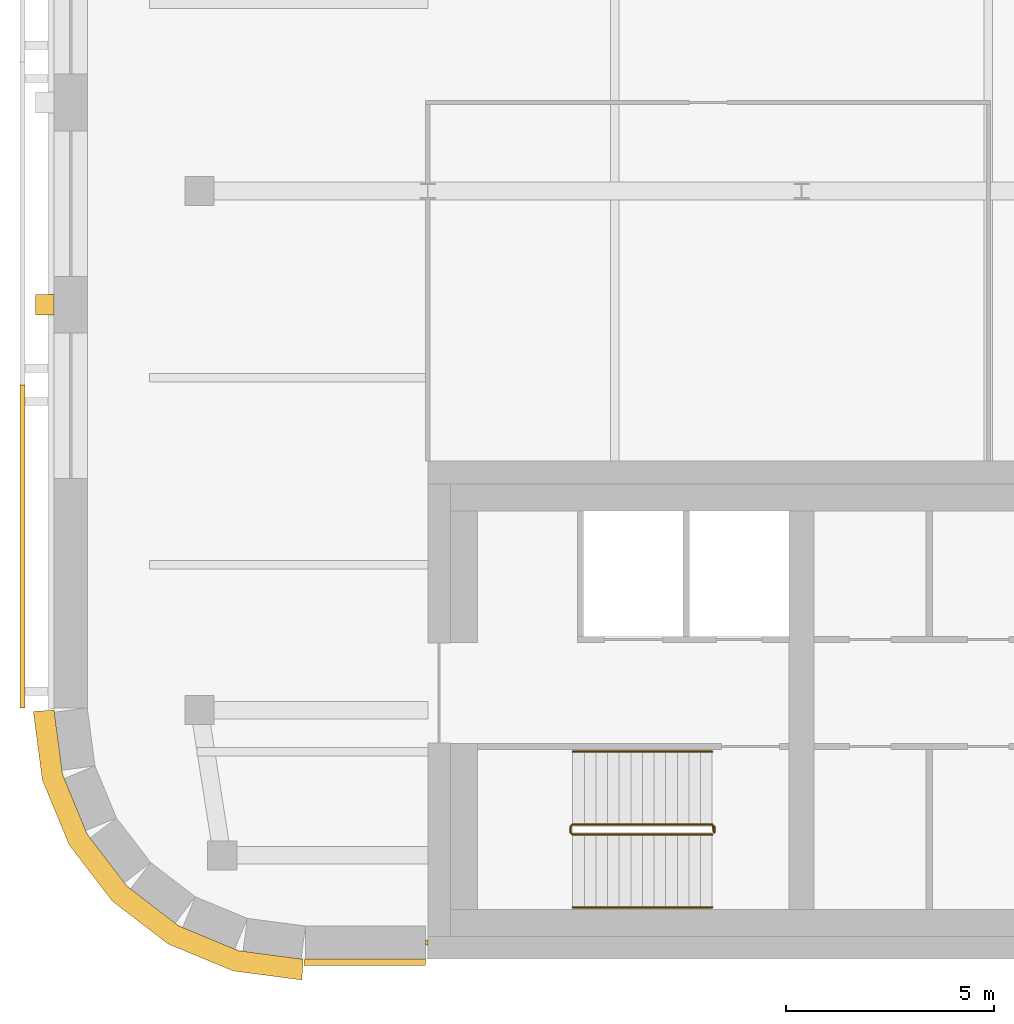
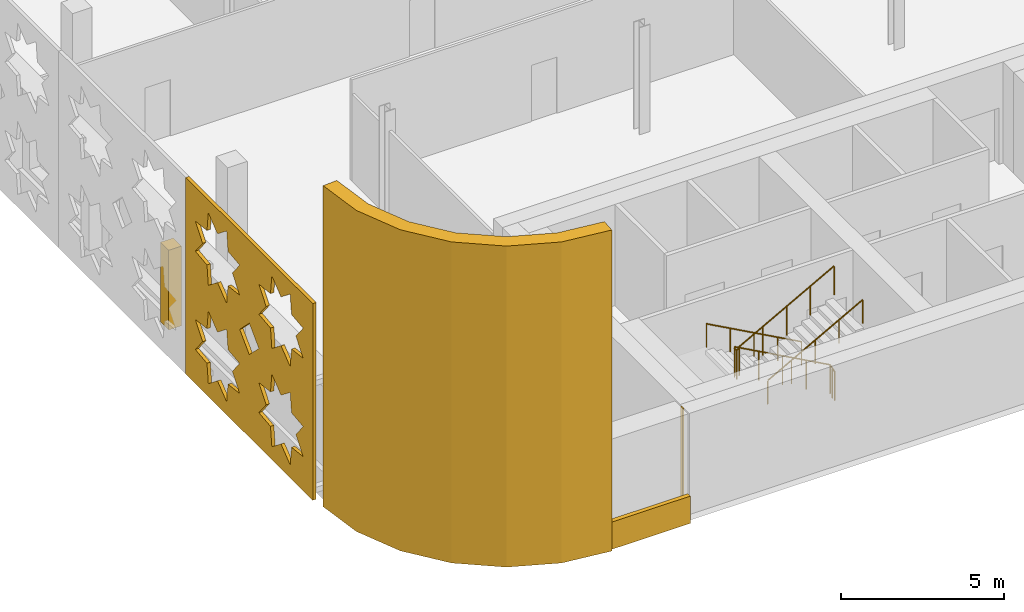
# One storey, part 12 of 16: 5 coverings, 3 railings.
"""IFC4 building model written with IfcOpenShell, lengths in metres."""

from ifc_helpers import new_model, si_unit, direction, frame, origin, origin_2d, place, context, subcontext, project, spatial, polyline, rectangle, circle, outline, extrude, material, layer, layer_set, type_object, element, save


model = new_model("IFC4")

# Units and contexts
model_context = context("Model", 3, precision=1e-05, world=origin(), true_north=direction((0.0, 1.0)))
body_context = subcontext(model_context, "Body", "Model", "MODEL_VIEW")
ifc_project = project(units=[si_unit("LENGTHUNIT", "METRE"), si_unit("AREAUNIT", "SQUARE_METRE"), si_unit("VOLUMEUNIT", "CUBIC_METRE"), si_unit("PLANEANGLEUNIT", "RADIAN"), si_unit("MASSUNIT", "GRAM", prefix="KILO")], contexts=[model_context])

# Site, building, storey
site_placement = place(None, origin())
site = spatial("IfcSite", under=ifc_project, at=site_placement, CompositionType="ELEMENT")
building_placement = place(site_placement, origin())
building = spatial("IfcBuilding", under=site, at=building_placement, Name="Zellij Exchange Tower", CompositionType="ELEMENT")
storey_placement = place(building_placement, frame((0.0, 0.0, 272.5)))
storey = spatial("IfcBuildingStorey", under=building, at=storey_placement, Name="L64", CompositionType="ELEMENT", Elevation=272.5)

# Railings
ifc_material_1 = material(Name="Stainless steel", Category="steel")
railing_type_1 = type_object("IfcRailingType", Name="CORE-RG stair guard", PredefinedType="GUARDRAIL", material=ifc_material_1)
railing_1_placement = place(storey_placement, frame((-20.10009765625, -10.800048828125, 0.0)))
element("IfcRailing", 1, at=railing_1_placement, inside=storey, type_object=railing_type_1, Name="ST1 stair guard L64", PredefinedType="GUARDRAIL", context=body_context, shape_type="SweptSolid", body=[
    extrude(circle(Radius=0.02392578125, at=origin_2d()), frame((0.0, 0.0, 1.076171875), z_axis=(0.0, -1.0, 0.0), x_axis=(1.0, 0.0, 0.0)), (0.0, 0.0, 1.0), 0.14990234375),
    extrude(circle(Radius=0.02392578125, at=origin_2d()), frame((0.0, -0.14990234375, 1.076171875), z_axis=(-0.193691321961, 0.777613689637, 0.598164376644), x_axis=(-0.970351222016, -0.241699205484, 0.0)), (0.0, 0.0, 1.0), 0.257080078125),
    extrude(circle(Radius=0.02392578125, at=origin_2d()), frame((-0.0498046875, 0.050048828125, 1.22998046875), z_axis=(-0.876421534553, 0.0, 0.481544695509), x_axis=(0.0, -1.0, 0.0)), (0.0, 0.0, 1.0), 3.833984375),
    extrude(circle(Radius=0.02392578125, at=origin_2d()), frame((-3.409912109375, 0.050048828125, 3.076171875), z_axis=(-0.707106781187, -0.707106781187, 0.0), x_axis=(0.707106781187, -0.707106781187, 0.0)), (0.0, 0.0, 1.0), 0.07080078125),
    extrude(circle(Radius=0.02392578125, at=origin_2d()), frame((-3.4599609375, 0.0, 3.076171875), z_axis=(0.0, -1.0, 0.0), x_axis=(1.0, 0.0, 0.0)), (0.0, 0.0, 1.0), 0.14990234375),
    extrude(circle(Radius=0.02392578125, at=origin_2d()), frame((-3.4599609375, -0.14990234375, 3.076171875), z_axis=(0.295599637079, -0.295599637079, 0.908428152975), x_axis=(0.707106781187, 0.707106781187, 0.0)), (0.0, 0.0, 1.0), 0.16943359375),
    extrude(circle(Radius=0.02392578125, at=origin_2d()), frame((-3.409912109375, -0.199951171875, 3.22998046875), z_axis=(0.876421534553, 0.0, 0.481544695509), x_axis=(0.0, 1.0, 0.0)), (0.0, 0.0, 1.0), 3.833984375),
    extrude(circle(Radius=0.02099609375, at=origin_2d()), origin(), (0.0, 0.0, 1.0), 1.052001953125),
    extrude(circle(Radius=0.02099609375, at=origin_2d()), frame((0.0, -0.14990234375, 0.0)), (0.0, 0.0, 1.0), 1.052001953125),
    extrude(circle(Radius=0.02099609375, at=origin_2d()), frame((-0.0498046875, 0.050048828125, 0.15380859375)), (0.0, 0.0, 1.0), 1.052001953125),
    extrude(circle(Radius=0.02099609375, at=origin_2d()), frame((-0.889892578125, 0.050048828125, 0.615234375)), (0.0, 0.0, 1.0), 1.052001953125),
    extrude(circle(Radius=0.02099609375, at=origin_2d()), frame((-1.72998046875, 0.050048828125, 1.076904296875)), (0.0, 0.0, 1.0), 1.052001953125),
    extrude(circle(Radius=0.02099609375, at=origin_2d()), frame((-2.56982421875, 0.050048828125, 1.53857421875)), (0.0, 0.0, 1.0), 1.052001953125),
    extrude(circle(Radius=0.02099609375, at=origin_2d()), frame((-3.409912109375, 0.050048828125, 2.0)), (0.0, 0.0, 1.0), 1.052001953125),
    extrude(circle(Radius=0.02099609375, at=origin_2d()), frame((-3.4599609375, 0.0, 2.0)), (0.0, 0.0, 1.0), 1.052001953125),
    extrude(circle(Radius=0.02099609375, at=origin_2d()), frame((-3.4599609375, -0.14990234375, 2.0)), (0.0, 0.0, 1.0), 1.052001953125),
    extrude(circle(Radius=0.02099609375, at=origin_2d()), frame((-3.409912109375, -0.199951171875, 2.15380859375)), (0.0, 0.0, 1.0), 1.052001953125),
    extrude(circle(Radius=0.02099609375, at=origin_2d()), frame((-2.56982421875, -0.199951171875, 2.615234375)), (0.0, 0.0, 1.0), 1.052001953125),
    extrude(circle(Radius=0.02099609375, at=origin_2d()), frame((-1.72998046875, -0.199951171875, 3.076904296875)), (0.0, 0.0, 1.0), 1.052001953125),
    extrude(circle(Radius=0.02099609375, at=origin_2d()), frame((-0.889892578125, -0.199951171875, 3.53857421875)), (0.0, 0.0, 1.0), 1.052001953125),
    extrude(circle(Radius=0.02099609375, at=origin_2d()), frame((-0.0498046875, -0.199951171875, 4.0)), (0.0, 0.0, 1.0), 1.052001953125),
])
railing_type_2 = type_object("IfcRailingType", Name="CORE-RH stair handrail", PredefinedType="HANDRAIL", material=ifc_material_1)
railing_2_placement = place(storey_placement, frame((-20.14990234375, -9.0, 0.15380859375)))
element("IfcRailing", 2, at=railing_2_placement, inside=storey, type_object=railing_type_2, Name="ST1 stair handrail L64", PredefinedType="HANDRAIL", context=body_context, shape_type="SweptSolid", body=[
    extrude(circle(Radius=0.02392578125, at=origin_2d()), frame((0.0, 0.0, 0.8759765625), z_axis=(-0.876421534553, 0.0, 0.481544695509), x_axis=(0.0, -1.0, 0.0)), (0.0, 0.0, 1.0), 3.833984375),
    extrude(circle(Radius=0.02099609375, at=origin_2d()), origin(), (0.0, 0.0, 1.0), 0.851806640625),
    extrude(circle(Radius=0.02099609375, at=origin_2d()), frame((-0.840087890625, 0.0, 0.46142578125)), (0.0, 0.0, 1.0), 0.851806640625),
    extrude(circle(Radius=0.02099609375, at=origin_2d()), frame((-1.68017578125, 0.0, 0.923095703125)), (0.0, 0.0, 1.0), 0.851806640625),
    extrude(circle(Radius=0.02099609375, at=origin_2d()), frame((-2.52001953125, 0.0, 1.384765625)), (0.0, 0.0, 1.0), 0.851806640625),
    extrude(circle(Radius=0.02099609375, at=origin_2d()), frame((-3.360107421875, 0.0, 1.84619140625)), (0.0, 0.0, 1.0), 0.851806640625),
])
railing_3_placement = place(storey_placement, frame((-23.510009765625, -12.75, 2.15380859375)))
element("IfcRailing", 3, at=railing_3_placement, inside=storey, type_object=railing_type_2, Name="ST1 stair handrail L64", PredefinedType="HANDRAIL", context=body_context, shape_type="SweptSolid", body=[
    extrude(circle(Radius=0.02392578125, at=origin_2d()), frame((0.0, 0.0, 0.8759765625), z_axis=(0.876421534553, 0.0, 0.481544695509), x_axis=(0.0, 1.0, 0.0)), (0.0, 0.0, 1.0), 3.833984375),
    extrude(circle(Radius=0.02099609375, at=origin_2d()), origin(), (0.0, 0.0, 1.0), 0.851806640625),
    extrude(circle(Radius=0.02099609375, at=origin_2d()), frame((0.840087890625, 0.0, 0.46142578125)), (0.0, 0.0, 1.0), 0.851806640625),
    extrude(circle(Radius=0.02099609375, at=origin_2d()), frame((1.68017578125, 0.0, 0.923095703125)), (0.0, 0.0, 1.0), 0.851806640625),
    extrude(circle(Radius=0.02099609375, at=origin_2d()), frame((2.52001953125, 0.0, 1.384765625)), (0.0, 0.0, 1.0), 0.851806640625),
    extrude(circle(Radius=0.02099609375, at=origin_2d()), frame((3.360107421875, 0.0, 1.84619140625)), (0.0, 0.0, 1.0), 0.851806640625),
])

# Coverings
ifc_material_2 = material(Name="Limestone cladding", Category="masonry")
ifc_layer_1 = layer(ifc_material_2, 0.14990234375)
ifc_layer_set_1 = layer_set([ifc_layer_1], Name="Limestone cladding")
covering_type_1 = type_object("IfcCoveringType", Name="ENV-CV1 Stone spandrel band 150", PredefinedType="CLADDING", material=ifc_layer_set_1)
covering_1_placement = place(storey_placement, frame((0.0, 0.0, -0.219970703125)))
element("IfcCovering", 4, at=covering_1_placement, inside=storey, type_object=covering_type_1, Name="Stone spandrel band", PredefinedType="CLADDING", context=body_context, shape_type="SweptSolid", body=[
    extrude(outline(polyline([(-29.973876953125, -14.0), (-27.050048828125, -14.0), (-27.050048828125, -14.14990234375), (-29.983642578125, -14.14990234375), (-29.973876953125, -14.0)])), origin(), (0.0, 0.0, 1.0), 1.02001953125),
])
ifc_layer_2 = layer(ifc_material_2, 0.5)
ifc_layer_set_2 = layer_set([ifc_layer_2], Name="Limestone cladding")
covering_type_2 = type_object("IfcCoveringType", Name="ENV-CV12 Stone corner pier 500", PredefinedType="CLADDING", material=ifc_layer_set_2)
covering_2_placement = place(storey_placement, origin())
element("IfcCovering", 5, at=covering_2_placement, inside=storey, type_object=covering_type_2, Name="Stone corner pier", PredefinedType="CLADDING", context=body_context, shape_type="SweptSolid", body=[
    extrude(outline(polyline([(-36.0, -8.0), (-35.795654296875, -9.552978515625), (-35.1962890625, -11.0), (-34.24267578125, -12.24267578125), (-33.0, -13.1962890625), (-31.552978515625, -13.795654296875), (-30.0, -14.0), (-30.03271484375, -14.5), (-31.683349609375, -14.28271484375), (-33.252197265625, -13.6328125), (-34.59912109375, -12.59912109375), (-35.6328125, -11.252197265625), (-36.28271484375, -9.683349609375), (-36.5, -8.03271484375), (-36.0, -8.0)])), origin(), (0.0, 0.0, 1.0), 12.0),
])
ifc_layer_3 = layer(ifc_material_2, 0.1201171875)
ifc_layer_set_3 = layer_set([ifc_layer_3], Name="Limestone cladding")
covering_type_3 = type_object("IfcCoveringType", Name="ENV-CV18 Glazing closer 120", PredefinedType="CLADDING", material=ifc_layer_set_3)
covering_3_placement = place(storey_placement, frame((-27.02490234375, -13.60009765625, 0.0), z_axis=(0.0, 0.0, 1.0), x_axis=(1.0, 0.0, 0.0)))
element("IfcCovering", 6, at=covering_3_placement, inside=storey, type_object=covering_type_3, Name="Glazing closer", PredefinedType="CLADDING", context=body_context, shape_type="SweptSolid", body=[
    extrude(rectangle(XDim=0.050048828125, YDim=0.1201171875, at=origin_2d()), origin(), (0.0, 0.0, 1.0), 3.780029296875),
])
covering_type_4 = type_object("IfcCoveringType", Name="ENV-CV4 Stone pier 500x450", PredefinedType="CLADDING", material=ifc_material_2)
covering_4_placement = place(storey_placement, frame((0.0, 0.0, 0.800048828125)))
element("IfcCovering", 7, at=covering_4_placement, inside=storey, type_object=covering_type_4, Name="Stone pier", PredefinedType="CLADDING", context=body_context, shape_type="SweptSolid", body=[
    extrude(outline(polyline([(-36.0, 2.01318359375), (-36.0, 1.51318359375), (-36.449951171875, 1.51318359375), (-36.449951171875, 2.01318359375), (-36.0, 2.01318359375)])), origin(), (0.0, 0.0, 1.0), 2.97998046875),
])
ifc_material_3 = material(Name="Limestone screen", Category="masonry")
ifc_layer_4 = layer(ifc_material_3, 0.1201171875)
ifc_layer_set_4 = layer_set([ifc_layer_4], Name="Limestone screen")
covering_type_5 = type_object("IfcCoveringType", Name="ENV-SC1 Pierced stone screen 120", PredefinedType="USERDEFINED", material=ifc_layer_set_4)
covering_5_placement = place(storey_placement, frame((-36.760009765625, -0.168701171875, 0.300048828125), z_axis=(0.0, 0.0, 1.0), x_axis=(0.0, -1.0, 0.0)))
element("IfcCovering", 8, at=covering_5_placement, inside=storey, type_object=covering_type_5, Name="Pierced stone screen", ObjectType="SCREEN", PredefinedType="USERDEFINED", context=body_context, shape_type="SweptSolid", body=[
    extrude(outline(polyline([(0.0, 0.0), (7.779052734375, 0.0), (7.779052734375, 7.35009765625), (0.0, 7.35009765625), (0.0, 0.0)]), holes=[polyline([(3.302978515625, 2.39990234375), (2.589111328125, 2.48193359375), (2.50732421875, 3.195556640625), (1.94482421875, 2.748779296875), (1.382080078125, 3.195556640625), (1.30029296875, 2.48193359375), (0.586669921875, 2.39990234375), (1.033447265625, 1.83740234375), (0.586669921875, 1.27490234375), (1.30029296875, 1.193115234375), (1.382080078125, 0.4794921875), (1.94482421875, 0.926025390625), (2.50732421875, 0.4794921875), (2.589111328125, 1.193115234375), (3.302978515625, 1.27490234375), (2.856201171875, 1.83740234375), (3.302978515625, 2.39990234375)]), polyline([(3.302978515625, 6.074951171875), (2.589111328125, 6.156982421875), (2.50732421875, 6.87060546875), (1.94482421875, 6.423828125), (1.382080078125, 6.87060546875), (1.30029296875, 6.156982421875), (0.586669921875, 6.074951171875), (1.033447265625, 5.512451171875), (0.586669921875, 4.949951171875), (1.30029296875, 4.867919921875), (1.382080078125, 4.154296875), (1.94482421875, 4.60107421875), (2.50732421875, 4.154296875), (2.589111328125, 4.867919921875), (3.302978515625, 4.949951171875), (2.856201171875, 5.512451171875), (3.302978515625, 6.074951171875)]), polyline([(7.1923828125, 2.39990234375), (6.478759765625, 2.48193359375), (6.396728515625, 3.195556640625), (5.834228515625, 2.748779296875), (5.271728515625, 3.195556640625), (5.189697265625, 2.48193359375), (4.476318359375, 2.39990234375), (4.9228515625, 1.83740234375), (4.476318359375, 1.27490234375), (5.189697265625, 1.193115234375), (5.271728515625, 0.4794921875), (5.834228515625, 0.926025390625), (6.396728515625, 0.4794921875), (6.478759765625, 1.193115234375), (7.1923828125, 1.27490234375), (6.74560546875, 1.83740234375), (7.1923828125, 2.39990234375)]), polyline([(7.1923828125, 6.074951171875), (6.478759765625, 6.156982421875), (6.396728515625, 6.87060546875), (5.834228515625, 6.423828125), (5.271728515625, 6.87060546875), (5.189697265625, 6.156982421875), (4.476318359375, 6.074951171875), (4.9228515625, 5.512451171875), (4.476318359375, 4.949951171875), (5.189697265625, 4.867919921875), (5.271728515625, 4.154296875), (5.834228515625, 4.60107421875), (6.396728515625, 4.154296875), (6.478759765625, 4.867919921875), (7.1923828125, 4.949951171875), (6.74560546875, 5.512451171875), (7.1923828125, 6.074951171875)]), polyline([(4.4775390625, 3.675048828125), (3.889404296875, 4.262939453125), (3.301513671875, 3.675048828125), (3.889404296875, 3.0869140625), (4.4775390625, 3.675048828125)])]), frame((0.0, 0.06005859375, 0.0), z_axis=(0.0, -1.0, 0.0), x_axis=(1.0, 0.0, 0.0)), (0.0, 0.0, 1.0), 0.1201171875),
])

save(model, "model.ifc")
